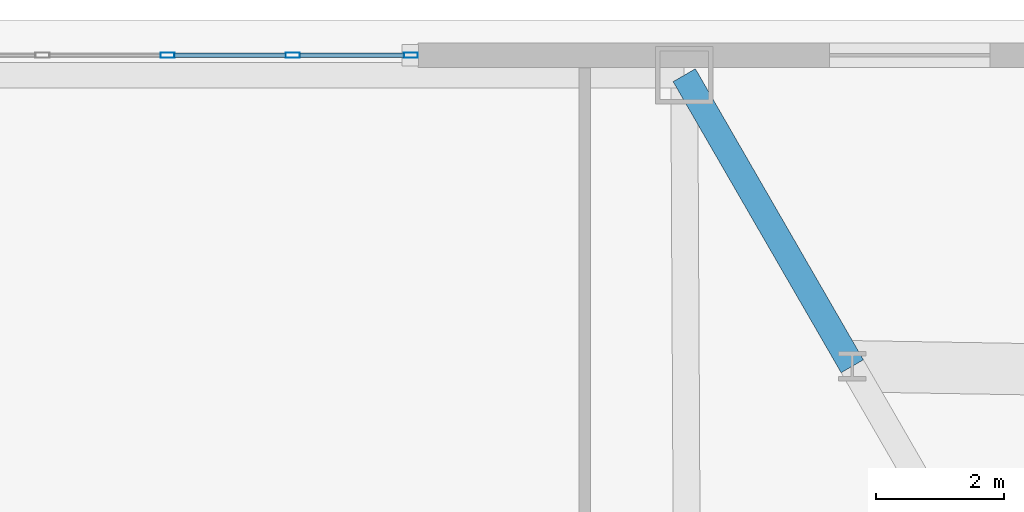
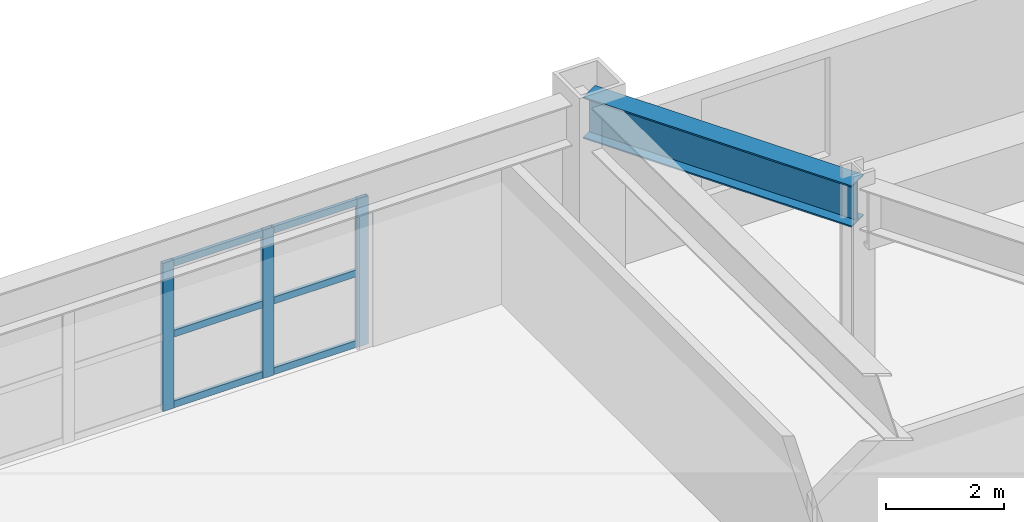
# One storey, part 10 of 22: 9 members, 1 beam, 1 element without a shape of its own.
"""IFC4 building model written with IfcOpenShell, lengths in metres."""

import ifcopenshell
import ifcopenshell.guid

model = None  # the IFC model being written
_history = None  # IfcOwnerHistory: only IFC2X3 demands one
_inside = {}  # id of a spatial element -> (the spatial element, [elements in it])
_under = {}  # id of a project, library or spatial element -> (it, [spatial elements below it])
_declared = {}  # id of a project -> (the project, [libraries it declares])
_typed = {}  # id of a type object -> (the type object, [elements of that type])
_made_of = {}  # id of a material, layer set ... -> (it, [elements and type objects made of it])


def new_model(schema):
    """Start an empty IFC model of exactly this schema.

    Asked for "IFC4X3", IfcOpenShell would pick the latest addendum, in which some entities
    have other attributes; the version numbers below select the first issue.
    IFC2X3 requires an IfcOwnerHistory on every rooted entity: one is made here for all.
    """
    global model, _history
    if schema == "IFC4X3":
        model = ifcopenshell.file(schema_version=(4, 3, 0, 0))
    else:
        model = ifcopenshell.file(schema=schema)
    _inside.clear()
    _under.clear()
    _declared.clear()
    _typed.clear()
    _made_of.clear()
    _history = None
    if model.schema == "IFC2X3":
        org = make("IfcOrganization", Name="unknown")
        user = make(
            "IfcPersonAndOrganization",
            ThePerson=make("IfcPerson", FamilyName="unknown"),
            TheOrganization=org,
        )
        app = make(
            "IfcApplication",
            ApplicationDeveloper=org,
            Version="unknown",
            ApplicationFullName="unknown",
            ApplicationIdentifier="unknown",
        )
        _history = make(
            "IfcOwnerHistory",
            OwningUser=user,
            OwningApplication=app,
            ChangeAction="ADDED",
            CreationDate=0,
        )
    return model


def make(cls, **values):
    """One entity of the class cls with the attributes given. An attribute that is None is left unset."""
    return model.create_entity(
        cls, **{name: value for name, value in values.items() if value is not None}
    )


def rooted(cls, **values):
    """An entity with a GlobalId (a new one), such as an element, a storey or a relation."""
    return make(cls, GlobalId=ifcopenshell.guid.new(), OwnerHistory=_history, **values)


def si_unit(unit_type, name, prefix=None):
    """IfcSIUnit, for example si_unit("LENGTHUNIT", "METRE", prefix="MILLI")."""
    return make("IfcSIUnit", UnitType=unit_type, Prefix=prefix, Name=name)


def assignment(units):
    """IfcUnitAssignment: the units of a project."""
    return None if units is None else make("IfcUnitAssignment", Units=units)


def point(xyz):
    """IfcCartesianPoint."""
    return None if xyz is None else make("IfcCartesianPoint", Coordinates=xyz)


def direction(xyz):
    """IfcDirection."""
    return None if xyz is None else make("IfcDirection", DirectionRatios=xyz)


def frame(location, z_axis=None, x_axis=None):
    """IfcAxis2Placement3D, a coordinate frame: its origin and axes. An axis left out is left unset."""
    return make(
        "IfcAxis2Placement3D",
        Location=point(location),
        Axis=direction(z_axis),
        RefDirection=direction(x_axis),
    )


def frame_2d(location, x_axis=None):
    """IfcAxis2Placement2D, a coordinate frame in the plane: its origin and x axis."""
    return make(
        "IfcAxis2Placement2D", Location=point(location), RefDirection=direction(x_axis)
    )


def origin():
    """The frame at (0, 0, 0) with its axes left unset."""
    return frame((0.0, 0.0, 0.0))


def origin_2d():
    """The frame at (0, 0) in the plane with its x axis left unset."""
    return frame_2d((0.0, 0.0))


def place(relative_to, where):
    """IfcLocalPlacement: puts the frame where relative to a parent placement (None: the world)."""
    return make(
        "IfcLocalPlacement", PlacementRelTo=relative_to, RelativePlacement=where
    )


def context(
    kind, dimensions, precision=None, world=None, true_north=None, identifier=None
):
    """IfcGeometricRepresentationContext, for example the 3D "Model" context."""
    return make(
        "IfcGeometricRepresentationContext",
        ContextIdentifier=identifier,
        ContextType=kind,
        CoordinateSpaceDimension=dimensions,
        Precision=precision,
        WorldCoordinateSystem=world,
        TrueNorth=true_north,
    )


def subcontext(parent, identifier, kind, view, scale=None):
    """IfcGeometricRepresentationSubContext, for example "Body" below "Model"."""
    return make(
        "IfcGeometricRepresentationSubContext",
        ContextIdentifier=identifier,
        ContextType=kind,
        ParentContext=parent,
        TargetScale=scale,
        TargetView=view,
    )


def project(units=None, contexts=None):
    """IfcProject with its units and contexts."""
    return rooted(
        "IfcProject",
        Name="project",
        RepresentationContexts=contexts,
        UnitsInContext=assignment(units),
    )


def spatial(cls, under=None, at=None, **own):
    """A site, building, storey or space (cls), placed at a placement, below another one or the project."""
    s = rooted(cls, ObjectPlacement=at, **own)
    if under is not None:
        _under.setdefault(under.id(), (under, []))[1].append(s)
    return s


def profile(cls, at=None, kind="AREA", **sizes):
    """A parametric profile (cls). Its sizes go by their IFC names, for example OverallWidth=200.0."""
    return make(cls, ProfileType=kind, Position=at, **sizes)


def hollow_rectangle(**sizes):
    """IfcRectangleHollowProfileDef."""
    return profile("IfcRectangleHollowProfileDef", **sizes)


def i_section(**sizes):
    """IfcIShapeProfileDef."""
    return profile("IfcIShapeProfileDef", **sizes)


def extrude(swept, where, along, depth):
    """IfcExtrudedAreaSolid: the profile swept, set in the frame where, extruded along a direction by depth."""
    return make(
        "IfcExtrudedAreaSolid",
        SweptArea=swept,
        Position=where,
        ExtrudedDirection=direction(along),
        Depth=depth,
    )


def shape(context_of_items, identifier, shape_type, items):
    """IfcShapeRepresentation: the items that make up one representation, for example the "Body"."""
    return make(
        "IfcShapeRepresentation",
        ContextOfItems=context_of_items,
        RepresentationIdentifier=identifier,
        RepresentationType=shape_type,
        Items=items,
    )


def material(Name=None, Category=None):
    """IfcMaterial."""
    return make("IfcMaterial", Name=Name, Category=Category)


def layer(
    of_material, thickness, ventilated=None, Name=None, Category=None, Priority=None
):
    """IfcMaterialLayer: one layer of a wall or slab, of a material (None: an air gap)."""
    return make(
        "IfcMaterialLayer",
        Material=of_material,
        LayerThickness=thickness,
        IsVentilated=ventilated,
        Name=Name,
        Category=Category,
        Priority=Priority,
    )


def layer_set(layers, Name=None):
    """IfcMaterialLayerSet."""
    return make("IfcMaterialLayerSet", MaterialLayers=layers, LayerSetName=Name)


def material_profile(
    of_material, cross_section, Name=None, Category=None, Priority=None
):
    """IfcMaterialProfile: a cross section and its material."""
    return make(
        "IfcMaterialProfile",
        Name=Name,
        Material=of_material,
        Profile=cross_section,
        Priority=Priority,
        Category=Category,
    )


def profile_set(profiles, Name=None, composite=None):
    """IfcMaterialProfileSet."""
    return make(
        "IfcMaterialProfileSet",
        Name=Name,
        MaterialProfiles=profiles,
        CompositeProfile=composite,
    )


def made_of(thing, what):
    """Note that an element or type object is made of a material, layer set ...; save() writes the relation."""
    if what is not None:
        _made_of.setdefault(what.id(), (what, []))[1].append(thing)
    return thing


def type_object(cls, material=None, **own):
    """A type object (cls), such as IfcWallType, which elements share."""
    return made_of(rooted(cls, **own), material)


def element(
    cls,
    number,
    at=None,
    inside=None,
    cuts=None,
    type_object=None,
    material=None,
    context=None,
    identifier="Body",
    shape_type=None,
    held_by="IfcProductDefinitionShape",
    body=None,
    shapes=None,
    **own,
):
    """One element of the class cls, such as IfcWall. Its Tag is "e" and its number.

    at: its placement. inside: the storey or other place that contains it. cuts: it is an
    opening in that element (IfcRelVoidsElement). A single representation is given by context,
    identifier, shape_type and body (its items); several are given by shapes. held_by: the class
    of the entity that holds the representations. save() writes the other relations.
    """
    e = rooted(cls, Tag="e%d" % number, ObjectPlacement=at, **own)
    if body is not None:
        shapes = [shape(context, identifier, shape_type, body)]
    if shapes is not None:
        e.Representation = make(held_by, Representations=shapes)
    if inside is not None:
        _inside.setdefault(inside.id(), (inside, []))[1].append(e)
    if cuts is not None:
        rooted(
            "IfcRelVoidsElement", RelatingBuildingElement=cuts, RelatedOpeningElement=e
        )
    if type_object is not None:
        _typed.setdefault(type_object.id(), (type_object, []))[1].append(e)
    return made_of(e, material)


def aggregate(whole, parts):
    """IfcRelAggregates: a whole, such as a stair, and the parts it consists of."""
    return rooted("IfcRelAggregates", RelatingObject=whole, RelatedObjects=parts)


def save(model, path):
    """Write the relations noted so far, then the file.

    IfcRelAggregates (storeys below a building ...), IfcRelContainedInSpatialStructure (elements
    in a storey), IfcRelDefinesByType, IfcRelAssociatesMaterial and IfcRelDeclares: one each for
    every whole, place, type object, material and project.
    """
    for whole, parts in _under.values():
        aggregate(whole, parts)
    for where, things in _inside.values():
        rooted(
            "IfcRelContainedInSpatialStructure",
            RelatedElements=things,
            RelatingStructure=where,
        )
    for kind, things in _typed.values():
        rooted("IfcRelDefinesByType", RelatedObjects=things, RelatingType=kind)
    for what, things in _made_of.values():
        rooted("IfcRelAssociatesMaterial", RelatedObjects=things, RelatingMaterial=what)
    for by, libraries in _declared.values():
        rooted("IfcRelDeclares", RelatingContext=by, RelatedDefinitions=libraries)
    model.write(path)


model = new_model("IFC4")

# Units and contexts
model_context = context("Model", 3, precision=1e-05, world=origin(), true_north=direction((0.0, 1.0)))
body_context = subcontext(model_context, "Body", "Model", "MODEL_VIEW")
ifc_project = project(units=[si_unit("LENGTHUNIT", "METRE"), si_unit("AREAUNIT", "SQUARE_METRE"), si_unit("VOLUMEUNIT", "CUBIC_METRE"), si_unit("PLANEANGLEUNIT", "RADIAN"), si_unit("MASSUNIT", "GRAM", prefix="KILO")], contexts=[model_context])

# Site, building, storey
site_placement = place(None, origin())
site = spatial("IfcSite", under=ifc_project, at=site_placement, CompositionType="ELEMENT")
building_placement = place(site_placement, origin())
building = spatial("IfcBuilding", under=site, at=building_placement, Name="Oramaril Tower", CompositionType="ELEMENT")
storey_placement = place(building_placement, frame((0.0, 0.0, 14.10009765625)))
storey = spatial("IfcBuildingStorey", under=building, at=storey_placement, Name="L03", CompositionType="ELEMENT", Elevation=14.10009765625)

# Beam
ifc_material_1 = material(Name="Steel ASTM A572 Gr 50", Category="steel")
ifc_material_profile_1 = material_profile(ifc_material_1, i_section(OverallWidth=0.40087890625, OverallDepth=0.85595703125, WebThickness=0.018310546875, FlangeThickness=0.029296875, at=origin_2d()), Name="W33X201")
ifc_profile_set_1 = profile_set([ifc_material_profile_1], Name="Steel ASTM A572 Gr 50")
beam_type = type_object("IfcBeamType", Name="BT-SP1", PredefinedType="SPANDREL", material=ifc_profile_set_1)
beam_placement = place(storey_placement, frame((48.166015625, 39.105712890625, 3.491943359375), z_axis=(-0.500015765613, 0.866016301312, 0.0), x_axis=(-0.866016301312, -0.500015765613, 0.0)))
element("IfcBeam", 1, at=beam_placement, inside=storey, type_object=beam_type, Name="L03 Perimeter Spandrel 12", PredefinedType="SPANDREL", context=body_context, shape_type="SweptSolid", body=[
    extrude(i_section(OverallWidth=0.40087890625, OverallDepth=0.85595703125, WebThickness=0.018310546875, FlangeThickness=0.029296875, at=origin_2d()), origin(), (0.0, 0.0, 1.0), 5.235595703125),
])

# Curtain wall, members
ifc_material_2 = material(Name="Anodised Aluminium 6063-T6", Category="aluminium")
ifc_layer = layer(ifc_material_2, 0.219970703125)
ifc_layer_set = layer_set([ifc_layer], Name="CWT-SYS2")
curtain_wall_type = type_object("IfcCurtainWallType", Name="CWT-SYS2", PredefinedType="NOTDEFINED", material=ifc_layer_set)
curtain_wall_placement = place(storey_placement, origin())
curtain_wall = element("IfcCurtainWall", 2, at=curtain_wall_placement, inside=storey, type_object=curtain_wall_type, Name="L03 Unitised Curtain Wall CW-2", PredefinedType="NOTDEFINED")
ifc_material_3 = material(Name="Anodised Aluminium 6063-T6", Category="aluminium")
ifc_material_profile_2 = material_profile(ifc_material_3, hollow_rectangle(XDim=0.080078125, YDim=0.219970703125, WallThickness=0.00390625, at=origin_2d()), Name="CWM220X80")
ifc_profile_set_2 = profile_set([ifc_material_profile_2], Name="Anodised Aluminium 6063-T6")
member_type_1 = type_object("IfcMemberType", Name="MT-CWM1", PredefinedType="MULLION", material=ifc_profile_set_2)
member_1_placement = place(storey_placement, frame((41.2900390625, 43.949951171875, 0.0), z_axis=(0.0, 0.0, 1.0), x_axis=(0.0, -1.0, 0.0)))
member_1 = element("IfcMember", 3, at=member_1_placement, type_object=member_type_1, Name="CW-2 mullion 1", PredefinedType="MULLION", context=body_context, shape_type="SweptSolid", body=[
    extrude(hollow_rectangle(XDim=0.080078125, YDim=0.219970703125, WallThickness=0.00390625, at=origin_2d()), origin(), (0.0, 0.0, 1.0), 3.053955078125),
])
member_2_placement = place(storey_placement, frame((39.449951171875, 43.949951171875, 0.0), z_axis=(0.0, 0.0, 1.0), x_axis=(0.0, -1.0, 0.0)))
member_2 = element("IfcMember", 4, at=member_2_placement, type_object=member_type_1, Name="CW-2 mullion 2", PredefinedType="MULLION", context=body_context, shape_type="SweptSolid", body=[
    extrude(hollow_rectangle(XDim=0.080078125, YDim=0.219970703125, WallThickness=0.00390625, at=origin_2d()), origin(), (0.0, 0.0, 1.0), 3.053955078125),
])
member_3_placement = place(storey_placement, frame((37.5, 43.949951171875, 0.0), z_axis=(0.0, 0.0, 1.0), x_axis=(0.0, -1.0, 0.0)))
member_3 = element("IfcMember", 5, at=member_3_placement, type_object=member_type_1, Name="CW-2 mullion 3", PredefinedType="MULLION", context=body_context, shape_type="SweptSolid", body=[
    extrude(hollow_rectangle(XDim=0.080078125, YDim=0.219970703125, WallThickness=0.00390625, at=origin_2d()), origin(), (0.0, 0.0, 1.0), 3.053955078125),
])
ifc_material_4 = material(Name="Anodised Aluminium 6063-T6", Category="aluminium")
ifc_material_profile_3 = material_profile(ifc_material_4, hollow_rectangle(XDim=0.06494140625, YDim=0.139892578125, WallThickness=0.00390625, at=origin_2d()), Name="CWT140X65")
ifc_profile_set_3 = profile_set([ifc_material_profile_3], Name="Anodised Aluminium 6063-T6")
member_type_2 = type_object("IfcMemberType", Name="MT-CWT2", PredefinedType="USERDEFINED", material=ifc_profile_set_3)
member_4_placement = place(storey_placement, frame((41.179931640625, 43.949951171875, 0.06982421875), z_axis=(-1.0, 0.0, 0.0), x_axis=(0.0, -1.0, 0.0)))
member_4 = element("IfcMember", 6, at=member_4_placement, type_object=member_type_2, Name="CW-2 transom 1.1", ObjectType="TRANSOM", PredefinedType="USERDEFINED", context=body_context, shape_type="SweptSolid", body=[
    extrude(hollow_rectangle(XDim=0.06494140625, YDim=0.139892578125, WallThickness=0.00390625, at=origin_2d()), origin(), (0.0, 0.0, 1.0), 1.619873046875),
])
member_5_placement = place(storey_placement, frame((41.179931640625, 43.949951171875, 1.52685546875), z_axis=(-1.0, 0.0, 0.0), x_axis=(0.0, -1.0, 0.0)))
member_5 = element("IfcMember", 7, at=member_5_placement, type_object=member_type_2, Name="CW-2 transom 1.2", ObjectType="TRANSOM", PredefinedType="USERDEFINED", context=body_context, shape_type="SweptSolid", body=[
    extrude(hollow_rectangle(XDim=0.06494140625, YDim=0.139892578125, WallThickness=0.00390625, at=origin_2d()), origin(), (0.0, 0.0, 1.0), 1.619873046875),
])
member_6_placement = place(storey_placement, frame((41.179931640625, 43.949951171875, 2.98388671875), z_axis=(-1.0, 0.0, 0.0), x_axis=(0.0, -1.0, 0.0)))
member_6 = element("IfcMember", 8, at=member_6_placement, type_object=member_type_2, Name="CW-2 transom 1.3", ObjectType="TRANSOM", PredefinedType="USERDEFINED", context=body_context, shape_type="SweptSolid", body=[
    extrude(hollow_rectangle(XDim=0.06494140625, YDim=0.139892578125, WallThickness=0.00390625, at=origin_2d()), origin(), (0.0, 0.0, 1.0), 1.619873046875),
])
member_7_placement = place(storey_placement, frame((39.340087890625, 43.949951171875, 0.06982421875), z_axis=(-1.0, 0.0, 0.0), x_axis=(0.0, -1.0, 0.0)))
member_7 = element("IfcMember", 9, at=member_7_placement, type_object=member_type_2, Name="CW-2 transom 2.1", ObjectType="TRANSOM", PredefinedType="USERDEFINED", context=body_context, shape_type="SweptSolid", body=[
    extrude(hollow_rectangle(XDim=0.06494140625, YDim=0.139892578125, WallThickness=0.00390625, at=origin_2d()), origin(), (0.0, 0.0, 1.0), 1.72998046875),
])
member_8_placement = place(storey_placement, frame((39.340087890625, 43.949951171875, 1.52685546875), z_axis=(-1.0, 0.0, 0.0), x_axis=(0.0, -1.0, 0.0)))
member_8 = element("IfcMember", 10, at=member_8_placement, type_object=member_type_2, Name="CW-2 transom 2.2", ObjectType="TRANSOM", PredefinedType="USERDEFINED", context=body_context, shape_type="SweptSolid", body=[
    extrude(hollow_rectangle(XDim=0.06494140625, YDim=0.139892578125, WallThickness=0.00390625, at=origin_2d()), origin(), (0.0, 0.0, 1.0), 1.72998046875),
])
member_9_placement = place(storey_placement, frame((39.340087890625, 43.949951171875, 2.98388671875), z_axis=(-1.0, 0.0, 0.0), x_axis=(0.0, -1.0, 0.0)))
member_9 = element("IfcMember", 11, at=member_9_placement, type_object=member_type_2, Name="CW-2 transom 2.3", ObjectType="TRANSOM", PredefinedType="USERDEFINED", context=body_context, shape_type="SweptSolid", body=[
    extrude(hollow_rectangle(XDim=0.06494140625, YDim=0.139892578125, WallThickness=0.00390625, at=origin_2d()), origin(), (0.0, 0.0, 1.0), 1.72998046875),
])
aggregate(curtain_wall, [member_1, member_2, member_3, member_4, member_5, member_6, member_7, member_8, member_9])

save(model, "model.ifc")
